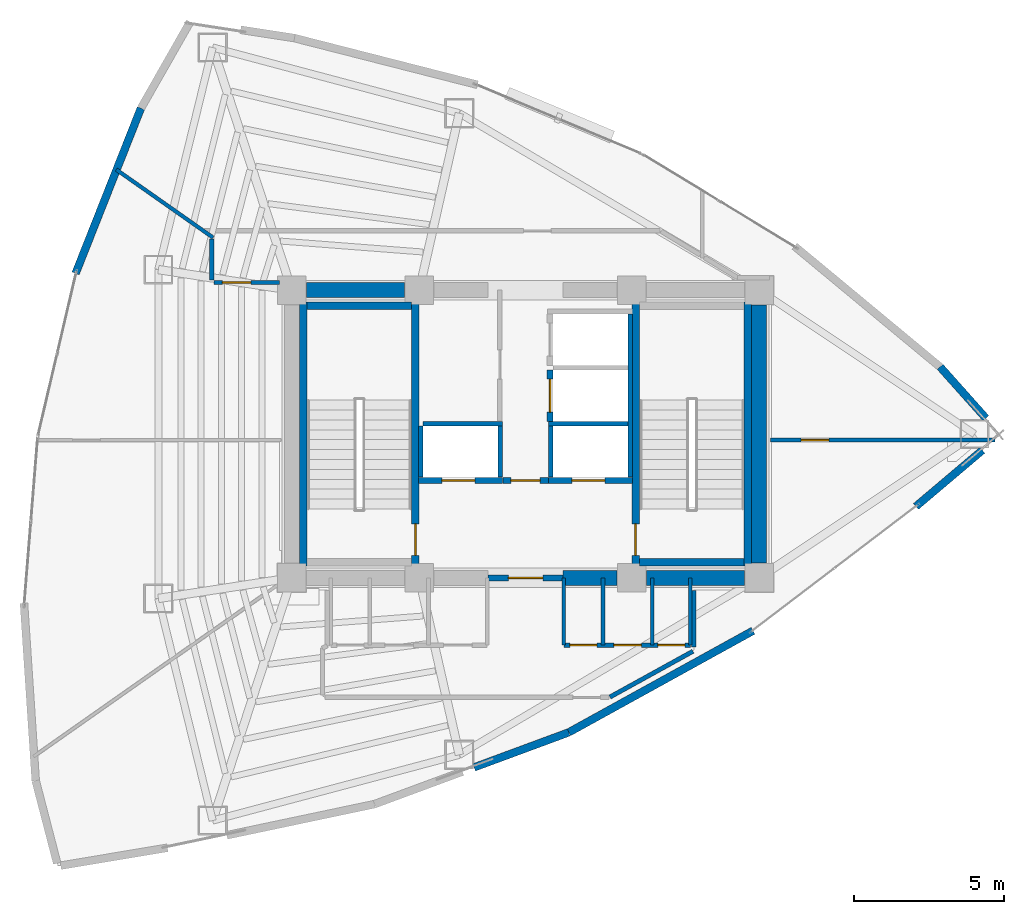
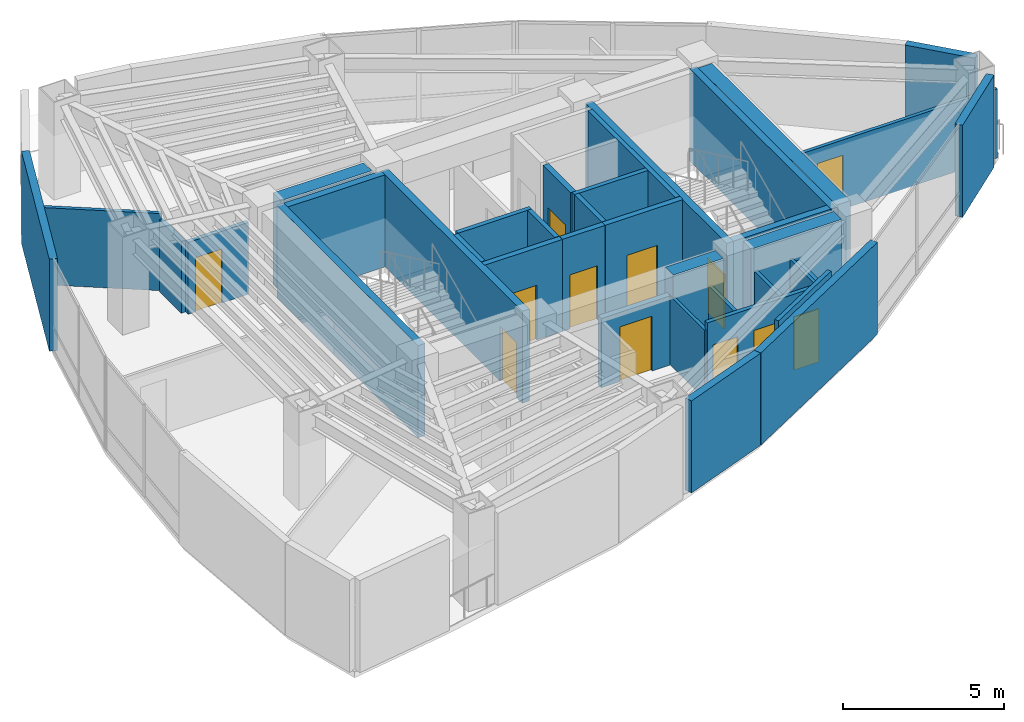
# One storey, part 12 of 15: 37 walls, 12 doors, 12 openings.
"""IFC4 building model written with IfcOpenShell, lengths in metres."""

from ifc_helpers import new_model, si_unit, direction, frame, frame_2d, origin, place, context, subcontext, project, spatial, rectangle, extrude, material, layer, layer_set, type_object, element, fill, save


model = new_model("IFC4")

# Units and contexts
model_context = context("Model", 3, precision=1e-05, world=origin(), true_north=direction((0.0, 1.0)))
body_context = subcontext(model_context, "Body", "Model", "MODEL_VIEW")
ifc_project = project(units=[si_unit("LENGTHUNIT", "METRE"), si_unit("AREAUNIT", "SQUARE_METRE"), si_unit("VOLUMEUNIT", "CUBIC_METRE"), si_unit("PLANEANGLEUNIT", "RADIAN"), si_unit("MASSUNIT", "GRAM", prefix="KILO")], contexts=[model_context])

# Site, building, storey
site_placement = place(None, origin())
site = spatial("IfcSite", under=ifc_project, at=site_placement, CompositionType="ELEMENT")
building_placement = place(site_placement, origin())
building = spatial("IfcBuilding", under=site, at=building_placement, Name="Menara Vayukalpa", CompositionType="ELEMENT")
storey_placement = place(building_placement, frame((0.0, 0.0, 176.639892578125)))
storey = spatial("IfcBuildingStorey", under=building, at=storey_placement, Name="L44", CompositionType="ELEMENT", Elevation=176.639892578125)

# Walls
ifc_material_1 = material(Name="Concrete C60/75", Category="concrete")
ifc_layer_1 = layer(ifc_material_1, 0.5)
ifc_layer_set_1 = layer_set([ifc_layer_1], Name="Concrete C60/75")
wall_type_1 = type_object("IfcWallType", Name="WAL-CW500", PredefinedType="SHEAR", material=ifc_layer_set_1)
wall_1_placement = place(storey_placement, frame((26.85009765625, 17.199951171875, 0.0), z_axis=(0.0, 0.0, 1.0), x_axis=(1.0, 0.0, 0.0)))
element("IfcWall", 1, at=wall_1_placement, inside=storey, type_object=wall_type_1, Name="L44 Buttressed Core Shear Wall CWS3", PredefinedType="SHEAR", context=body_context, shape_type="SweptSolid", body=[
    extrude(rectangle(XDim=1.804931640625, YDim=0.5, at=frame_2d((0.90234375, 0.0))), origin(), (0.0, 0.0, 1.0), 3.5),
])
for number, where, z_axis, x_axis, name in (
    (2, (29.64501953125, 17.199951171875, 0.0), (0.0, 0.0, 1.0), (1.0, 0.0, 0.0), "L44 Buttressed Core Shear Wall CWS4"),
    (3, (18.294921875, 26.800048828125, 0.0), (0.0, 0.0, 1.0), (1.0, 0.0, 0.0), "L44 Buttressed Core Shear Wall CWN1"),
):
    element("IfcWall", number, at=place(storey_placement, frame(where, z_axis=z_axis, x_axis=x_axis)), inside=storey, type_object=wall_type_1, Name=name, PredefinedType="SHEAR", context=body_context, shape_type="SweptSolid", body=[
        extrude(rectangle(XDim=3.260009765625, YDim=0.5, at=frame_2d((1.6298828125, 0.0))), origin(), (0.0, 0.0, 1.0), 3.5),
    ])
wall_2_placement = place(storey_placement, frame((33.39990234375, 17.695068359375, 0.0), z_axis=(0.0, 0.0, 1.0), x_axis=(0.0, 1.0, 0.0)))
element("IfcWall", 4, at=wall_2_placement, inside=storey, type_object=wall_type_1, Name="L44 Buttressed Core Shear Wall CWE1", PredefinedType="SHEAR", context=body_context, shape_type="SweptSolid", body=[
    extrude(rectangle(XDim=8.60986328125, YDim=0.5, at=frame_2d((4.304931640625, 0.0))), origin(), (0.0, 0.0, 1.0), 3.5),
])
ifc_material_2 = material(Name="Insulated Precast Concrete C40/50", Category="concrete")
ifc_layer_2 = layer(ifc_material_2, 0.260009765625)
ifc_layer_set_2 = layer_set([ifc_layer_2], Name="Insulated Precast Concrete C40/50")
wall_type_2 = type_object("IfcWallType", Name="WAL-EXT260", PredefinedType="PARTITIONING", material=ifc_layer_set_2)
wall_3_placement = place(storey_placement, frame((40.85009765625, 21.4580078125, 0.0), z_axis=(0.0, 0.0, 1.0), x_axis=(-0.763472391034, -0.645840466469, 0.0)))
element("IfcWall", 5, at=wall_3_placement, inside=storey, type_object=wall_type_2, Name="L44 Perimeter Terracotta Pier Wall 01", PredefinedType="PARTITIONING", context=body_context, shape_type="SweptSolid", body=[
    extrude(rectangle(XDim=2.903564453125, YDim=0.260009765625, at=frame_2d((1.45166015625, 0.0))), origin(), (0.0, 0.0, 1.0), 3.5),
])
wall_4_placement = place(storey_placement, frame((39.439208984375, 24.2421875, 0.0), z_axis=(0.0, 0.0, 1.0), x_axis=(0.665576459686, -0.746329669993, 0.0)))
element("IfcWall", 6, at=wall_4_placement, inside=storey, type_object=wall_type_2, Name="L44 Perimeter Terracotta Pier Wall 02", PredefinedType="PARTITIONING", context=body_context, shape_type="SweptSolid", body=[
    extrude(rectangle(XDim=2.297607421875, YDim=0.260009765625, at=frame_2d((1.14892578125, 0.0))), origin(), (0.0, 0.0, 1.0), 3.5),
])
wall_5_placement = place(storey_placement, frame((10.578857421875, 27.3603515625, 0.0), z_axis=(0.0, 0.0, 1.0), x_axis=(0.367819433119, 0.929897233365, 0.0)))
element("IfcWall", 7, at=wall_5_placement, inside=storey, type_object=wall_type_2, Name="L44 Perimeter Terracotta Pier Wall 09", PredefinedType="PARTITIONING", context=body_context, shape_type="SweptSolid", body=[
    extrude(rectangle(XDim=5.933349609375, YDim=0.260009765625, at=frame_2d((2.966796875, 0.0))), origin(), (0.0, 0.0, 1.0), 3.5),
])
wall_6_placement = place(storey_placement, frame((27.045166015625, 12.040283203125, 0.0), z_axis=(0.0, 0.0, 1.0), x_axis=(-0.937891061811, -0.346929900953, 0.0)))
element("IfcWall", 8, at=wall_6_placement, inside=storey, type_object=wall_type_2, Name="L44 Perimeter Terracotta Pier Wall 17", PredefinedType="PARTITIONING", context=body_context, shape_type="SweptSolid", body=[
    extrude(rectangle(XDim=3.37158203125, YDim=0.260009765625, at=frame_2d((1.685791015625, 0.0))), origin(), (0.0, 0.0, 1.0), 3.5),
])
wall_7_placement = place(storey_placement, frame((33.194580078125, 15.431640625, 0.0), z_axis=(0.0, 0.0, 1.0), x_axis=(-0.875663362897, -0.482922017389, 0.0)))
element("IfcWall", 9, at=wall_7_placement, inside=storey, type_object=wall_type_2, Name="L44 Perimeter Terracotta Pier Wall 18", PredefinedType="PARTITIONING", context=body_context, shape_type="SweptSolid", body=[
    extrude(rectangle(XDim=7.0224609375, YDim=0.260009765625, at=frame_2d((3.51123046875, 0.0))), origin(), (0.0, 0.0, 1.0), 3.5),
])
ifc_material_3 = material(Name="Lightweight Concrete Blockwork C16/20", Category="masonry")
ifc_layer_3 = layer(ifc_material_3, 0.159912109375)
ifc_layer_set_3 = layer_set([ifc_layer_3], Name="Lightweight Concrete Blockwork C16/20")
wall_type_3 = type_object("IfcWallType", Name="WAL-FR150", PredefinedType="PARTITIONING", material=ifc_layer_set_3)
for number, where, z_axis, x_axis, name in (
    (10, (22.10498046875, 20.56005859375, 0.0), (0.0, 0.0, 1.0), (0.0, 1.0, 0.0), "L44 Interior Partition IW-L44-SHW-WW"),
    (11, (24.7548828125, 20.56005859375, 0.0), (0.0, 0.0, 1.0), (0.0, 1.0, 0.0), "L44 Interior Partition IW-L44-SHW-W1E"),
):
    element("IfcWall", number, at=place(storey_placement, frame(where, z_axis=z_axis, x_axis=x_axis)), inside=storey, type_object=wall_type_3, Name=name, PredefinedType="PARTITIONING", context=body_context, shape_type="SweptSolid", body=[
        extrude(rectangle(XDim=1.7099609375, YDim=0.159912109375, at=frame_2d((0.85498046875, 0.0))), origin(), (0.0, 0.0, 1.0), 3.5),
    ])
wall_8_placement = place(storey_placement, frame((22.179931640625, 22.344970703125, 0.0), z_axis=(0.0, 0.0, 1.0), x_axis=(1.0, 0.0, 0.0)))
element("IfcWall", 12, at=wall_8_placement, inside=storey, type_object=wall_type_3, Name="L44 Interior Partition IW-L44-SHM-W12", PredefinedType="PARTITIONING", context=body_context, shape_type="SweptSolid", body=[
    extrude(rectangle(XDim=2.650146484375, YDim=0.159912109375, at=frame_2d((1.3251953125, 0.0))), origin(), (0.0, 0.0, 1.0), 3.5),
])
wall_9_placement = place(storey_placement, frame((29.094970703125, 20.56005859375, 0.0), z_axis=(0.0, 0.0, 1.0), x_axis=(0.0, 1.0, 0.0)))
element("IfcWall", 13, at=wall_9_placement, inside=storey, type_object=wall_type_3, Name="L44 Interior Partition IW-L44-SHW-EE", PredefinedType="PARTITIONING", context=body_context, shape_type="SweptSolid", body=[
    extrude(rectangle(XDim=5.449951171875, YDim=0.159912109375, at=frame_2d((2.72509765625, 0.0))), origin(), (0.0, 0.0, 1.0), 3.5),
])
wall_10_placement = place(storey_placement, frame((26.445068359375, 20.56005859375, 0.0), z_axis=(0.0, 0.0, 1.0), x_axis=(0.0, 1.0, 0.0)))
element("IfcWall", 14, at=wall_10_placement, inside=storey, type_object=wall_type_3, Name="L44 Interior Partition IW-L44-SHW-E1W", PredefinedType="PARTITIONING", context=body_context, shape_type="SweptSolid", body=[
    extrude(rectangle(XDim=1.7099609375, YDim=0.159912109375, at=frame_2d((0.85498046875, 0.0))), origin(), (0.0, 0.0, 1.0), 3.5),
])
wall_11_placement = place(storey_placement, frame((26.3701171875, 22.344970703125, 0.0), z_axis=(0.0, 0.0, 1.0), x_axis=(1.0, 0.0, 0.0)))
element("IfcWall", 15, at=wall_11_placement, inside=storey, type_object=wall_type_3, Name="L44 Interior Partition IW-L44-SHM-E13", PredefinedType="PARTITIONING", context=body_context, shape_type="SweptSolid", body=[
    extrude(rectangle(XDim=2.64990234375, YDim=0.159912109375, at=frame_2d((1.324951171875, 0.0))), origin(), (0.0, 0.0, 1.0), 3.5),
])

# Wall, opening, door
ifc_material_4 = material(Name="Lightweight Concrete Blockwork C16/20", Category="masonry")
ifc_layer_4 = layer(ifc_material_4, 0.199951171875)
ifc_layer_set_4 = layer_set([ifc_layer_4], Name="Lightweight Concrete Blockwork C16/20")
wall_type_4 = type_object("IfcWallType", Name="WAL-FR200", PredefinedType="PARTITIONING", material=ifc_layer_set_4)
wall_12_placement = place(storey_placement, frame((24.35009765625, 17.199951171875, 0.0), z_axis=(0.0, 0.0, 1.0), x_axis=(1.0, 0.0, 0.0)))
wall_12 = element("IfcWall", 16, at=wall_12_placement, inside=storey, type_object=wall_type_4, Name="L44 Interior Partition IW-L44-FFLS", PredefinedType="PARTITIONING", context=body_context, shape_type="SweptSolid", body=[
    extrude(rectangle(XDim=2.5, YDim=0.199951171875, at=frame_2d((1.25, 0.0))), origin(), (0.0, 0.0, 1.0), 2.630126953125),
])
opening_1_placement = place(wall_12_placement, frame((0.679931640625, 0.0, 0.0)))
opening_1 = element("IfcOpeningElement", 17, at=opening_1_placement, cuts=wall_12, Name="Opening ID2", PredefinedType="OPENING", context=body_context, shape_type="SweptSolid", body=[
    extrude(rectangle(XDim=1.14990234375, YDim=2.080078125, at=frame_2d((0.574951171875, 1.0400390625))), frame((0.0, 0.10986328125, 0.0), z_axis=(0.0, -1.0, 0.0), x_axis=(1.0, 0.0, 0.0)), (0.0, 0.0, 1.0), 0.219970703125),
])
ifc_material_5 = material(Name="Fire-Rated Powder-Coated Steel Door", Category="steel")
door_type_1 = type_object("IfcDoorType", Name="DR-FD60W", OperationType="NOTDEFINED", PredefinedType="DOOR", material=ifc_material_5)
door_1_placement = place(opening_1_placement, origin())
door_1 = element("IfcDoor", 18, at=door_1_placement, inside=storey, type_object=door_type_1, Name="L44 Interior Door DR-L44-FFLS", OperationType="SINGLE_SWING_LEFT", OverallHeight=2.080078125, OverallWidth=1.14990234375, PredefinedType="DOOR", context=body_context, shape_type="SweptSolid", body=[
    extrude(rectangle(XDim=1.14990234375, YDim=2.080078125, at=frame_2d((0.574951171875, 1.0400390625))), frame((0.0, 0.02490234375, 0.0), z_axis=(0.0, -1.0, 0.0), x_axis=(1.0, 0.0, 0.0)), (0.0, 0.0, 1.0), 0.050048828125),
])
fill(opening_1, door_1)

wall_13_placement = place(storey_placement, frame((24.840087890625, 20.449951171875, 0.0), z_axis=(0.0, 0.0, 1.0), x_axis=(1.0, 0.0, 0.0)))
wall_13 = element("IfcWall", 19, at=wall_13_placement, inside=storey, type_object=wall_type_4, Name="L44 Interior Partition IW-L44-FFLN", PredefinedType="PARTITIONING", context=body_context, shape_type="SweptSolid", body=[
    extrude(rectangle(XDim=1.52001953125, YDim=0.199951171875, at=frame_2d((0.760009765625, 0.0))), origin(), (0.0, 0.0, 1.0), 3.5),
])
opening_2_placement = place(wall_13_placement, frame((0.27001953125, 0.0, 0.0)))
opening_2 = element("IfcOpeningElement", 20, at=opening_2_placement, cuts=wall_13, Name="Opening ID3", PredefinedType="OPENING", context=body_context, shape_type="SweptSolid", body=[
    extrude(rectangle(XDim=0.97998046875, YDim=2.06005859375, at=frame_2d((0.489990234375, 1.030029296875))), frame((0.0, 0.10986328125, 0.0), z_axis=(0.0, -1.0, 0.0), x_axis=(1.0, 0.0, 0.0)), (0.0, 0.0, 1.0), 0.219970703125),
])
ifc_material_6 = material(Name="Fire-Rated Powder-Coated Steel Door", Category="steel")
door_type_2 = type_object("IfcDoorType", Name="DR-FD60", OperationType="NOTDEFINED", PredefinedType="DOOR", material=ifc_material_6)
door_2_placement = place(opening_2_placement, origin())
door_2 = element("IfcDoor", 21, at=door_2_placement, inside=storey, type_object=door_type_2, Name="L44 Interior Door DR-L44-FFLN", OperationType="SINGLE_SWING_RIGHT", OverallHeight=2.06005859375, OverallWidth=0.97998046875, PredefinedType="DOOR", context=body_context, shape_type="SweptSolid", body=[
    extrude(rectangle(XDim=0.97998046875, YDim=2.06005859375, at=frame_2d((0.489990234375, 1.030029296875))), frame((0.0, 0.02490234375, 0.0), z_axis=(0.0, -1.0, 0.0), x_axis=(1.0, 0.0, 0.0)), (0.0, 0.0, 1.0), 0.050048828125),
])
fill(opening_2, door_2)

wall_14_placement = place(storey_placement, frame((22.030029296875, 20.449951171875, 0.0), z_axis=(0.0, 0.0, 1.0), x_axis=(1.0, 0.0, 0.0)))
wall_14 = element("IfcWall", 22, at=wall_14_placement, inside=storey, type_object=wall_type_4, Name="L44 Interior Partition IW-L44-SH-W1", PredefinedType="PARTITIONING", context=body_context, shape_type="SweptSolid", body=[
    extrude(rectangle(XDim=2.800048828125, YDim=0.199951171875, at=frame_2d((1.39990234375, 0.0))), origin(), (0.0, 0.0, 1.0), 3.5),
])
opening_3_placement = place(wall_14_placement, frame((0.780029296875, 0.0, 0.0)))
opening_3 = element("IfcOpeningElement", 23, at=opening_3_placement, cuts=wall_14, Name="Opening LD1", PredefinedType="OPENING", context=body_context, shape_type="SweptSolid", body=[
    extrude(rectangle(XDim=1.10009765625, YDim=2.080078125, at=frame_2d((0.550048828125, 1.0400390625))), frame((0.0, 0.10986328125, 0.0), z_axis=(0.0, -1.0, 0.0), x_axis=(1.0, 0.0, 0.0)), (0.0, 0.0, 1.0), 0.219970703125),
])
ifc_material_7 = material(Name="Brushed Stainless Steel 316 Lift Door", Category="steel")
door_type_3 = type_object("IfcDoorType", Name="DR-LD110", OperationType="NOTDEFINED", PredefinedType="DOOR", material=ifc_material_7)
door_3_placement = place(opening_3_placement, origin())
door_3 = element("IfcDoor", 24, at=door_3_placement, inside=storey, type_object=door_type_3, Name="L44 Interior Door DR-L44-LD-W1", OperationType="DOUBLE_DOOR_SLIDING", OverallHeight=2.080078125, OverallWidth=1.10009765625, PredefinedType="DOOR", context=body_context, shape_type="SweptSolid", body=[
    extrude(rectangle(XDim=1.10009765625, YDim=2.080078125, at=frame_2d((0.550048828125, 1.0400390625))), frame((0.0, 0.02490234375, 0.0), z_axis=(0.0, -1.0, 0.0), x_axis=(1.0, 0.0, 0.0)), (0.0, 0.0, 1.0), 0.050048828125),
])
fill(opening_3, door_3)

wall_15_placement = place(storey_placement, frame((26.3701171875, 20.449951171875, 0.0), z_axis=(0.0, 0.0, 1.0), x_axis=(1.0, 0.0, 0.0)))
wall_15 = element("IfcWall", 25, at=wall_15_placement, inside=storey, type_object=wall_type_4, Name="L44 Interior Partition IW-L44-SH-E1", PredefinedType="PARTITIONING", context=body_context, shape_type="SweptSolid", body=[
    extrude(rectangle(XDim=2.7998046875, YDim=0.199951171875, at=frame_2d((1.39990234375, 0.0))), origin(), (0.0, 0.0, 1.0), 3.5),
])
opening_4_placement = place(wall_15_placement, frame((0.780029296875, 0.0, 0.0)))
opening_4 = element("IfcOpeningElement", 26, at=opening_4_placement, cuts=wall_15, Name="Opening LD1", PredefinedType="OPENING", context=body_context, shape_type="SweptSolid", body=[
    extrude(rectangle(XDim=1.10009765625, YDim=2.080078125, at=frame_2d((0.550048828125, 1.0400390625))), frame((0.0, 0.10986328125, 0.0), z_axis=(0.0, -1.0, 0.0), x_axis=(1.0, 0.0, 0.0)), (0.0, 0.0, 1.0), 0.219970703125),
])
door_4_placement = place(opening_4_placement, origin())
door_4 = element("IfcDoor", 27, at=door_4_placement, inside=storey, type_object=door_type_3, Name="L44 Interior Door DR-L44-LD-E1", OperationType="DOUBLE_DOOR_SLIDING", OverallHeight=2.080078125, OverallWidth=1.10009765625, PredefinedType="DOOR", context=body_context, shape_type="SweptSolid", body=[
    extrude(rectangle(XDim=1.10009765625, YDim=2.080078125, at=frame_2d((0.550048828125, 1.0400390625))), frame((0.0, 0.02490234375, 0.0), z_axis=(0.0, -1.0, 0.0), x_axis=(1.0, 0.0, 0.0)), (0.0, 0.0, 1.0), 0.050048828125),
])
fill(opening_4, door_4)

wall_16_placement = place(storey_placement, frame((26.419921875, 22.419921875, 0.0), z_axis=(0.0, 0.0, 1.0), x_axis=(0.0, 1.0, 0.0)))
wall_16 = element("IfcWall", 28, at=wall_16_placement, inside=storey, type_object=wall_type_4, Name="L44 Interior Partition IW-L44-SH-E3", PredefinedType="PARTITIONING", context=body_context, shape_type="SweptSolid", body=[
    extrude(rectangle(XDim=1.719970703125, YDim=0.199951171875, at=frame_2d((0.85986328125, 0.0))), origin(), (0.0, 0.0, 1.0), 3.5),
])
opening_5_placement = place(wall_16_placement, frame((0.31005859375, 0.0, 0.0)))
opening_5 = element("IfcOpeningElement", 29, at=opening_5_placement, cuts=wall_16, Name="Opening LD1", PredefinedType="OPENING", context=body_context, shape_type="SweptSolid", body=[
    extrude(rectangle(XDim=1.10009765625, YDim=2.080078125, at=frame_2d((0.550048828125, 1.0400390625))), frame((0.0, 0.10986328125, 0.0), z_axis=(0.0, -1.0, 0.0), x_axis=(1.0, 0.0, 0.0)), (0.0, 0.0, 1.0), 0.219970703125),
])
door_5_placement = place(opening_5_placement, origin())
door_5 = element("IfcDoor", 30, at=door_5_placement, inside=storey, type_object=door_type_3, Name="L44 Interior Door DR-L44-LD-E3", OperationType="DOUBLE_DOOR_SLIDING", OverallHeight=2.080078125, OverallWidth=1.10009765625, PredefinedType="DOOR", context=body_context, shape_type="SweptSolid", body=[
    extrude(rectangle(XDim=1.10009765625, YDim=2.080078125, at=frame_2d((0.550048828125, 1.0400390625))), frame((0.0, 0.02490234375, 0.0), z_axis=(0.0, -1.0, 0.0), x_axis=(1.0, 0.0, 0.0)), (0.0, 0.0, 1.0), 0.050048828125),
])
fill(opening_5, door_5)

# Walls
ifc_material_8 = material(Name="Acoustic Mineral Stud Partition", Category="masonry")
ifc_layer_5 = layer(ifc_material_8, 0.110107421875)
ifc_layer_set_5 = layer_set([ifc_layer_5], Name="Acoustic Mineral Stud Partition")
wall_type_5 = type_object("IfcWallType", Name="WAL-PT110", PredefinedType="PARTITIONING", material=ifc_layer_set_5)
for number, where, z_axis, x_axis, name in (
    (31, (26.8798828125, 14.949951171875, 0.0), (0.0, 0.0, 1.0), (0.0, 1.0, 0.0), "L44 Interior Partition IW-L44-SVCD-05"),
    (32, (31.10009765625, 14.949951171875, 0.0), (0.0, 0.0, 1.0), (0.0, 1.0, 0.0), "L44 Interior Partition IW-L44-SVCD-08"),
):
    element("IfcWall", number, at=place(storey_placement, frame(where, z_axis=z_axis, x_axis=x_axis)), inside=storey, type_object=wall_type_5, Name=name, PredefinedType="PARTITIONING", context=body_context, shape_type="SweptSolid", body=[
        extrude(rectangle(XDim=2.25, YDim=0.110107421875, at=frame_2d((1.125, 0.0))), origin(), (0.0, 0.0, 1.0), 2.630126953125),
    ])
ifc_material_9 = material(Name="Gypsum Drywall Steel Stud Assembly", Category="steel")
ifc_layer_6 = layer(ifc_material_9, 0.125)
ifc_layer_set_6 = layer_set([ifc_layer_6], Name="Gypsum Drywall Steel Stud Assembly")
wall_type_6 = type_object("IfcWallType", Name="WAL-PT125", PredefinedType="PARTITIONING", material=ifc_layer_set_6)
for number, where, z_axis, x_axis, name in (
    (33, (28.18994140625, 14.949951171875, 0.0), (0.0, 0.0, 1.0), (0.0, 1.0, 0.0), "L44 Interior Partition IW-L44-SVCD-06"),
    (34, (29.830078125, 14.949951171875, 0.0), (0.0, 0.0, 1.0), (0.0, 1.0, 0.0), "L44 Interior Partition IW-L44-SVCD-07"),
):
    element("IfcWall", number, at=place(storey_placement, frame(where, z_axis=z_axis, x_axis=x_axis)), inside=storey, type_object=wall_type_6, Name=name, PredefinedType="PARTITIONING", context=body_context, shape_type="SweptSolid", body=[
        extrude(rectangle(XDim=2.25, YDim=0.125, at=frame_2d((1.125, 0.0))), origin(), (0.0, 0.0, 1.0), 2.630126953125),
    ])

# Wall, opening, door
wall_17_placement = place(storey_placement, frame((33.77001953125, 21.800048828125, 0.0), z_axis=(0.0, 0.0, 1.0), x_axis=(1.0, 0.0, 0.0)))
wall_17 = element("IfcWall", 35, at=wall_17_placement, inside=storey, type_object=wall_type_6, Name="L44 Interior Partition IW-L44-RDIV03", PredefinedType="PARTITIONING", context=body_context, shape_type="SweptSolid", body=[
    extrude(rectangle(XDim=7.5, YDim=0.125, at=frame_2d((3.75, 0.0))), origin(), (0.0, 0.0, 1.0), 2.630126953125),
])
opening_6_placement = place(wall_17_placement, frame((1.032470703125, 0.0, 0.0)))
opening_6 = element("IfcOpeningElement", 36, at=opening_6_placement, cuts=wall_17, Name="Opening ID6", PredefinedType="OPENING", context=body_context, shape_type="SweptSolid", body=[
    extrude(rectangle(XDim=0.919921875, YDim=2.050048828125, at=frame_2d((0.4599609375, 1.02490234375))), frame((0.0, 0.072509765625, 0.0), z_axis=(0.0, -1.0, 0.0), x_axis=(1.0, 0.0, 0.0)), (0.0, 0.0, 1.0), 0.14501953125),
])
ifc_material_10 = material(Name="Acoustic Hardwood Veneer Timber Door", Category="wood")
door_type_4 = type_object("IfcDoorType", Name="DR-INT92", OperationType="NOTDEFINED", PredefinedType="DOOR", material=ifc_material_10)
door_6_placement = place(opening_6_placement, origin())
door_6 = element("IfcDoor", 37, at=door_6_placement, inside=storey, type_object=door_type_4, Name="L44 Interior Door DR-L44-STE03", OperationType="SINGLE_SWING_RIGHT", OverallHeight=2.050048828125, OverallWidth=0.919921875, PredefinedType="DOOR", context=body_context, shape_type="SweptSolid", body=[
    extrude(rectangle(XDim=0.919921875, YDim=2.050048828125, at=frame_2d((0.4599609375, 1.02490234375))), frame((0.0, 0.02490234375, 0.0), z_axis=(0.0, -1.0, 0.0), x_axis=(1.0, 0.0, 0.0)), (0.0, 0.0, 1.0), 0.050048828125),
])
fill(opening_6, door_6)

# Wall
wall_18_placement = place(storey_placement, frame((11.939208984375, 30.826416015625, 0.0), z_axis=(0.0, 0.0, 1.0), x_axis=(0.81818776637, -0.574951110063, 0.0)))
element("IfcWall", 38, at=wall_18_placement, inside=storey, type_object=wall_type_6, Name="L44 Interior Partition IW-L44-RDIV05", PredefinedType="PARTITIONING", context=body_context, shape_type="SweptSolid", body=[
    extrude(rectangle(XDim=3.94873046875, YDim=0.125, at=frame_2d((1.974365234375, 0.0))), origin(), (0.0, 0.0, 1.0), 2.93017578125),
])

# Wall, openings, doors
ifc_material_11 = material(Name="Gypsum Drywall Acoustic Stud Assembly", Category="masonry")
ifc_layer_7 = layer(ifc_material_11, 0.14501953125)
ifc_layer_set_7 = layer_set([ifc_layer_7], Name="Gypsum Drywall Acoustic Stud Assembly")
wall_type_7 = type_object("IfcWallType", Name="WAL-PT150", PredefinedType="PARTITIONING", material=ifc_layer_set_7)
wall_19_placement = place(storey_placement, frame((26.8798828125, 14.949951171875, 0.0), z_axis=(0.0, 0.0, 1.0), x_axis=(1.0, 0.0, 0.0)))
wall_19 = element("IfcWall", 39, at=wall_19_placement, inside=storey, type_object=wall_type_7, Name="L44 Interior Partition IW-L44-SVCS-E", PredefinedType="PARTITIONING", context=body_context, shape_type="SweptSolid", body=[
    extrude(rectangle(XDim=4.22021484375, YDim=0.14501953125, at=frame_2d((2.110107421875, 0.0))), origin(), (0.0, 0.0, 1.0), 2.93017578125),
])
opening_7_placement = place(wall_19_placement, frame((0.199951171875, 0.0, 0.0)))
opening_7 = element("IfcOpeningElement", 40, at=opening_7_placement, cuts=wall_19, Name="Opening ID7", PredefinedType="OPENING", context=body_context, shape_type="SweptSolid", body=[
    extrude(rectangle(XDim=0.89990234375, YDim=2.02001953125, at=frame_2d((0.449951171875, 1.010009765625))), frame((0.0, 0.08251953125, 0.0), z_axis=(0.0, -1.0, 0.0), x_axis=(1.0, 0.0, 0.0)), (0.0, 0.0, 1.0), 0.1650390625),
])
opening_8_placement = place(wall_19_placement, frame((1.669921875, 0.0, 0.0)))
opening_8 = element("IfcOpeningElement", 41, at=opening_8_placement, cuts=wall_19, Name="Opening ID6", PredefinedType="OPENING", context=body_context, shape_type="SweptSolid", body=[
    extrude(rectangle(XDim=0.919921875, YDim=2.050048828125, at=frame_2d((0.4599609375, 1.02490234375))), frame((0.0, 0.08251953125, 0.0), z_axis=(0.0, -1.0, 0.0), x_axis=(1.0, 0.0, 0.0)), (0.0, 0.0, 1.0), 0.1650390625),
])
opening_9_placement = place(wall_19_placement, frame((3.139892578125, 0.0, 0.0)))
opening_9 = element("IfcOpeningElement", 42, at=opening_9_placement, cuts=wall_19, Name="Opening ID7", PredefinedType="OPENING", context=body_context, shape_type="SweptSolid", body=[
    extrude(rectangle(XDim=0.89990234375, YDim=2.02001953125, at=frame_2d((0.449951171875, 1.010009765625))), frame((0.0, 0.08251953125, 0.0), z_axis=(0.0, -1.0, 0.0), x_axis=(1.0, 0.0, 0.0)), (0.0, 0.0, 1.0), 0.1650390625),
])
door_7_placement = place(opening_8_placement, origin())
door_7 = element("IfcDoor", 43, at=door_7_placement, inside=storey, type_object=door_type_4, Name="L44 Interior Door DR-L44-KSV2", OperationType="SINGLE_SWING_RIGHT", OverallHeight=2.050048828125, OverallWidth=0.919921875, PredefinedType="DOOR", context=body_context, shape_type="SweptSolid", body=[
    extrude(rectangle(XDim=0.919921875, YDim=2.050048828125, at=frame_2d((0.4599609375, 1.02490234375))), frame((0.0, 0.02490234375, 0.0), z_axis=(0.0, -1.0, 0.0), x_axis=(1.0, 0.0, 0.0)), (0.0, 0.0, 1.0), 0.050048828125),
])
fill(opening_8, door_7)
ifc_material_12 = material(Name="Powder-Coated Steel Riser Access Door", Category="steel")
door_type_5 = type_object("IfcDoorType", Name="DR-RISER", OperationType="NOTDEFINED", PredefinedType="DOOR", material=ifc_material_12)
door_8_placement = place(opening_7_placement, origin())
door_8 = element("IfcDoor", 44, at=door_8_placement, inside=storey, type_object=door_type_5, Name="L44 Interior Door DR-L44-KSV1", OperationType="SINGLE_SWING_LEFT", OverallHeight=2.02001953125, OverallWidth=0.89990234375, PredefinedType="DOOR", context=body_context, shape_type="SweptSolid", body=[
    extrude(rectangle(XDim=0.89990234375, YDim=2.02001953125, at=frame_2d((0.449951171875, 1.010009765625))), frame((0.0, 0.02490234375, 0.0), z_axis=(0.0, -1.0, 0.0), x_axis=(1.0, 0.0, 0.0)), (0.0, 0.0, 1.0), 0.050048828125),
])
fill(opening_7, door_8)
door_9_placement = place(opening_9_placement, origin())
door_9 = element("IfcDoor", 45, at=door_9_placement, inside=storey, type_object=door_type_5, Name="L44 Interior Door DR-L44-SMD", OperationType="SINGLE_SWING_LEFT", OverallHeight=2.02001953125, OverallWidth=0.89990234375, PredefinedType="DOOR", context=body_context, shape_type="SweptSolid", body=[
    extrude(rectangle(XDim=0.89990234375, YDim=2.02001953125, at=frame_2d((0.449951171875, 1.010009765625))), frame((0.0, 0.02490234375, 0.0), z_axis=(0.0, -1.0, 0.0), x_axis=(1.0, 0.0, 0.0)), (0.0, 0.0, 1.0), 0.050048828125),
])
fill(opening_9, door_9)

# Walls
wall_20_placement = place(storey_placement, frame((28.41796875, 13.219970703125, 0.0), z_axis=(0.0, 0.0, 1.0), x_axis=(0.875692450227, 0.48286927073, 0.0)))
element("IfcWall", 46, at=wall_20_placement, inside=storey, type_object=wall_type_7, Name="L44 Interior Partition IW-L44-CRM02-4", PredefinedType="PARTITIONING", context=body_context, shape_type="SweptSolid", body=[
    extrude(rectangle(XDim=3.1640625, YDim=0.14501953125, at=frame_2d((1.58203125, 0.0))), origin(), (0.0, 0.0, 1.0), 3.5),
])
wall_21_placement = place(storey_placement, frame((31.219970703125, 14.888671875, 0.0), z_axis=(0.0, 0.0, 1.0), x_axis=(0.0, 1.0, 0.0)))
element("IfcWall", 47, at=wall_21_placement, inside=storey, type_object=wall_type_7, Name="L44 Interior Partition IW-L44-CRM02-5", PredefinedType="PARTITIONING", context=body_context, shape_type="SweptSolid", body=[
    extrude(rectangle(XDim=1.891357421875, YDim=0.14501953125, at=frame_2d((0.94580078125, 0.0))), origin(), (0.0, 0.0, 1.0), 2.630126953125),
])
wall_22_placement = place(storey_placement, frame((15.1201171875, 28.505859375, 0.0), z_axis=(0.0, 0.0, 1.0), x_axis=(0.0, -1.0, 0.0)))
element("IfcWall", 48, at=wall_22_placement, inside=storey, type_object=wall_type_7, Name="L44 Interior Partition IW-L44-CRM05-1", PredefinedType="PARTITIONING", context=body_context, shape_type="SweptSolid", body=[
    extrude(rectangle(XDim=1.365966796875, YDim=0.14501953125, at=frame_2d((0.68310546875, 0.0))), origin(), (0.0, 0.0, 1.0), 2.730224609375),
])

# Wall, opening, door
wall_23_placement = place(storey_placement, frame((15.199951171875, 27.06005859375, 0.0), z_axis=(0.0, 0.0, 1.0), x_axis=(1.0, 0.0, 0.0)))
wall_23 = element("IfcWall", 49, at=wall_23_placement, inside=storey, type_object=wall_type_7, Name="L44 Interior Partition IW-L44-CRM05-2", PredefinedType="PARTITIONING", context=body_context, shape_type="SweptSolid", body=[
    extrude(rectangle(XDim=2.179931640625, YDim=0.14501953125, at=frame_2d((1.08984375, 0.0))), origin(), (0.0, 0.0, 1.0), 2.730224609375),
])
opening_10_placement = place(wall_23_placement, frame((0.280029296875, 0.0, 0.0)))
opening_10 = element("IfcOpeningElement", 50, at=opening_10_placement, cuts=wall_23, Name="Opening ID5", PredefinedType="OPENING", context=body_context, shape_type="SweptSolid", body=[
    extrude(rectangle(XDim=0.949951171875, YDim=2.06005859375, at=frame_2d((0.47509765625, 1.030029296875))), frame((0.0, 0.08251953125, 0.0), z_axis=(0.0, -1.0, 0.0), x_axis=(1.0, 0.0, 0.0)), (0.0, 0.0, 1.0), 0.1650390625),
])
ifc_material_13 = material(Name="Acoustic Hardwood Veneer Timber Door", Category="wood")
door_type_6 = type_object("IfcDoorType", Name="DR-INT95", OperationType="NOTDEFINED", PredefinedType="DOOR", material=ifc_material_13)
door_10_placement = place(opening_10_placement, origin())
door_10 = element("IfcDoor", 51, at=door_10_placement, inside=storey, type_object=door_type_6, Name="L44 Interior Door DR-L44-RM05", OperationType="SINGLE_SWING_RIGHT", OverallHeight=2.06005859375, OverallWidth=0.949951171875, PredefinedType="DOOR", context=body_context, shape_type="SweptSolid", body=[
    extrude(rectangle(XDim=0.949951171875, YDim=2.06005859375, at=frame_2d((0.47509765625, 1.030029296875))), frame((0.0, 0.02490234375, 0.0), z_axis=(0.0, -1.0, 0.0), x_axis=(1.0, 0.0, 0.0)), (0.0, 0.0, 1.0), 0.050048828125),
])
fill(opening_10, door_10)

# Wall
ifc_material_14 = material(Name="Concrete C50/60", Category="concrete")
ifc_layer_8 = layer(ifc_material_14, 0.25)
ifc_layer_set_8 = layer_set([ifc_layer_8], Name="Concrete C50/60")
wall_type_8 = type_object("IfcWallType", Name="WAL-SW250", PredefinedType="SHEAR", material=ifc_layer_set_8)
wall_24_placement = place(storey_placement, frame((18.178955078125, 17.60009765625, 0.0), z_axis=(0.0, 0.0, 1.0), x_axis=(0.0, 1.0, 0.0)))
element("IfcWall", 52, at=wall_24_placement, inside=storey, type_object=wall_type_8, Name="L44 ST1 Structural Stair Shaft Wall W", PredefinedType="SHEAR", context=body_context, shape_type="SweptSolid", body=[
    extrude(rectangle(XDim=8.7998046875, YDim=0.25, at=frame_2d((4.39990234375, 0.0))), origin(), (0.0, 0.0, 1.0), 3.5),
])

# Wall, opening, door
wall_25_placement = place(storey_placement, frame((21.925048828125, 17.60009765625, 0.0), z_axis=(0.0, 0.0, 1.0), x_axis=(0.0, 1.0, 0.0)))
wall_25 = element("IfcWall", 53, at=wall_25_placement, inside=storey, type_object=wall_type_8, Name="L44 ST1 Structural Stair Shaft Wall E", PredefinedType="SHEAR", context=body_context, shape_type="SweptSolid", body=[
    extrude(rectangle(XDim=8.7998046875, YDim=0.25, at=frame_2d((4.39990234375, 0.0))), origin(), (0.0, 0.0, 1.0), 3.5),
])
opening_11_placement = place(wall_25_placement, frame((0.35009765625, 0.0, 0.0)))
opening_11 = element("IfcOpeningElement", 54, at=opening_11_placement, cuts=wall_25, Name="Opening ID1", PredefinedType="OPENING", context=body_context, shape_type="SweptSolid", body=[
    extrude(rectangle(XDim=1.050048828125, YDim=2.080078125, at=frame_2d((0.52490234375, 1.0400390625))), frame((0.0, 0.135009765625, 0.0), z_axis=(0.0, -1.0, 0.0), x_axis=(1.0, 0.0, 0.0)), (0.0, 0.0, 1.0), 0.27001953125),
])
ifc_material_15 = material(Name="Fire-Rated Powder-Coated Steel Door", Category="steel")
door_type_7 = type_object("IfcDoorType", Name="DR-FD120", OperationType="NOTDEFINED", PredefinedType="DOOR", material=ifc_material_15)
door_11_placement = place(opening_11_placement, origin())
door_11 = element("IfcDoor", 55, at=door_11_placement, inside=storey, type_object=door_type_7, Name="L44 Stair Exit Door DR-L44-ST1", OperationType="SINGLE_SWING_LEFT", OverallHeight=2.080078125, OverallWidth=1.050048828125, PredefinedType="DOOR", context=body_context, shape_type="SweptSolid", body=[
    extrude(rectangle(XDim=1.050048828125, YDim=2.080078125, at=frame_2d((0.52490234375, 1.0400390625))), frame((0.0, 0.02490234375, 0.0), z_axis=(0.0, -1.0, 0.0), x_axis=(1.0, 0.0, 0.0)), (0.0, 0.0, 1.0), 0.050048828125),
])
fill(opening_11, door_11)

# Wall
wall_26_placement = place(storey_placement, frame((18.303955078125, 26.27490234375, 0.0), z_axis=(0.0, 0.0, 1.0), x_axis=(1.0, 0.0, 0.0)))
element("IfcWall", 56, at=wall_26_placement, inside=storey, type_object=wall_type_8, Name="L44 ST1 Structural Stair Shaft Wall N", PredefinedType="SHEAR", context=body_context, shape_type="SweptSolid", body=[
    extrude(rectangle(XDim=3.49609375, YDim=0.25, at=frame_2d((1.748046875, 0.0))), origin(), (0.0, 0.0, 1.0), 3.5),
])

# Wall, opening, door
wall_27_placement = place(storey_placement, frame((29.27490234375, 17.60009765625, 0.0), z_axis=(0.0, 0.0, 1.0), x_axis=(0.0, 1.0, 0.0)))
wall_27 = element("IfcWall", 57, at=wall_27_placement, inside=storey, type_object=wall_type_8, Name="L44 ST2 Structural Stair Shaft Wall W", PredefinedType="SHEAR", context=body_context, shape_type="SweptSolid", body=[
    extrude(rectangle(XDim=8.7998046875, YDim=0.25, at=frame_2d((4.39990234375, 0.0))), origin(), (0.0, 0.0, 1.0), 3.5),
])
opening_12_placement = place(wall_27_placement, frame((0.35009765625, 0.0, 0.0)))
opening_12 = element("IfcOpeningElement", 58, at=opening_12_placement, cuts=wall_27, Name="Opening ID1", PredefinedType="OPENING", context=body_context, shape_type="SweptSolid", body=[
    extrude(rectangle(XDim=1.050048828125, YDim=2.080078125, at=frame_2d((0.52490234375, 1.0400390625))), frame((0.0, 0.135009765625, 0.0), z_axis=(0.0, -1.0, 0.0), x_axis=(1.0, 0.0, 0.0)), (0.0, 0.0, 1.0), 0.27001953125),
])
door_12_placement = place(opening_12_placement, origin())
door_12 = element("IfcDoor", 59, at=door_12_placement, inside=storey, type_object=door_type_7, Name="L44 Stair Exit Door DR-L44-ST2", OperationType="SINGLE_SWING_RIGHT", OverallHeight=2.080078125, OverallWidth=1.050048828125, PredefinedType="DOOR", context=body_context, shape_type="SweptSolid", body=[
    extrude(rectangle(XDim=1.050048828125, YDim=2.080078125, at=frame_2d((0.52490234375, 1.0400390625))), frame((0.0, 0.02490234375, 0.0), z_axis=(0.0, -1.0, 0.0), x_axis=(1.0, 0.0, 0.0)), (0.0, 0.0, 1.0), 0.050048828125),
])
fill(opening_12, door_12)

# Walls
wall_28_placement = place(storey_placement, frame((33.02099609375, 17.60009765625, 0.0), z_axis=(0.0, 0.0, 1.0), x_axis=(0.0, 1.0, 0.0)))
element("IfcWall", 60, at=wall_28_placement, inside=storey, type_object=wall_type_8, Name="L44 ST2 Structural Stair Shaft Wall E", PredefinedType="SHEAR", context=body_context, shape_type="SweptSolid", body=[
    extrude(rectangle(XDim=8.7998046875, YDim=0.25, at=frame_2d((4.39990234375, 0.0))), origin(), (0.0, 0.0, 1.0), 3.5),
])
wall_29_placement = place(storey_placement, frame((29.39990234375, 17.72509765625, 0.0), z_axis=(0.0, 0.0, 1.0), x_axis=(1.0, 0.0, 0.0)))
element("IfcWall", 61, at=wall_29_placement, inside=storey, type_object=wall_type_8, Name="L44 ST2 Structural Stair Shaft Wall S", PredefinedType="SHEAR", context=body_context, shape_type="SweptSolid", body=[
    extrude(rectangle(XDim=3.49609375, YDim=0.25, at=frame_2d((1.748046875, 0.0))), origin(), (0.0, 0.0, 1.0), 3.5),
])

save(model, "model.ifc")
